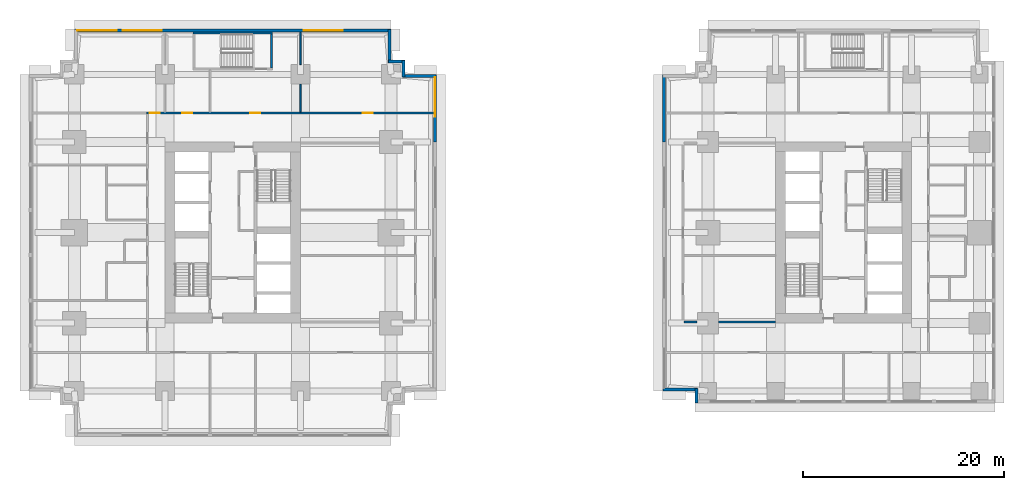
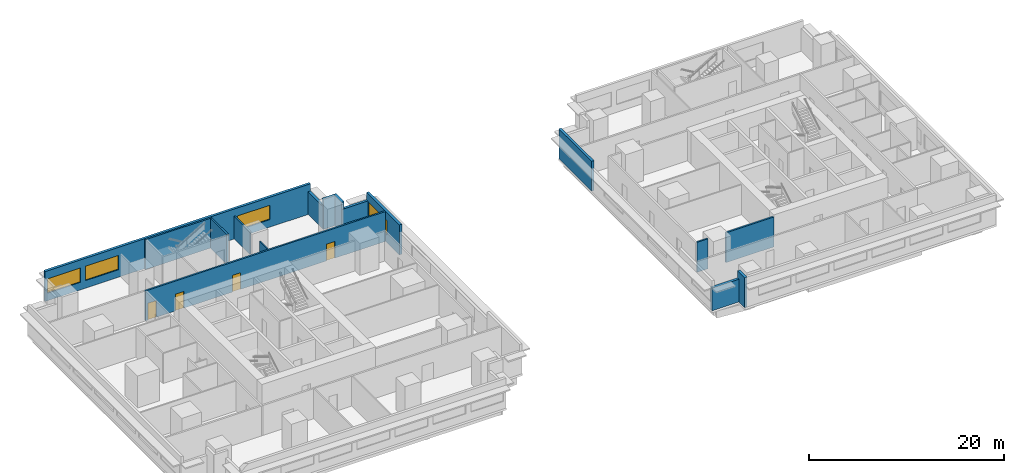
# One storey, part 5 of 11: 16 walls, 4 doors, 4 windows, 8 openings.
"""IFC4 building model written with IfcOpenShell, lengths in metres."""

from ifc_helpers import new_model, si_unit, direction, frame, frame_2d, origin, place, context, subcontext, project, spatial, rectangle, extrude, material, layer, layer_set, type_object, element, fill, save


model = new_model("IFC4")

# Units and contexts
model_context = context("Model", 3, precision=1e-05, world=origin(), true_north=direction((0.0, 1.0)))
body_context = subcontext(model_context, "Body", "Model", "MODEL_VIEW")
ifc_project = project(units=[si_unit("LENGTHUNIT", "METRE"), si_unit("AREAUNIT", "SQUARE_METRE"), si_unit("VOLUMEUNIT", "CUBIC_METRE"), si_unit("PLANEANGLEUNIT", "RADIAN"), si_unit("MASSUNIT", "GRAM", prefix="KILO")], contexts=[model_context])

# Site, building, storey
site_placement = place(None, origin())
site = spatial("IfcSite", under=ifc_project, at=site_placement, CompositionType="ELEMENT")
building_placement = place(site_placement, origin())
building = spatial("IfcBuilding", under=site, at=building_placement, Name="Namib Vertical Campus", CompositionType="ELEMENT")
storey_placement = place(building_placement, frame((0.0, 0.0, 101.0)))
storey = spatial("IfcBuildingStorey", under=building, at=storey_placement, Name="L23", CompositionType="ELEMENT", Elevation=101.0)

# Wall, openings, doors
ifc_material_1 = material(Name="Concrete masonry", Category="masonry")
ifc_layer_1 = layer(ifc_material_1, 0.199951171875)
ifc_layer_set_1 = layer_set([ifc_layer_1], Name="Corridor wall 200")
wall_type_1 = type_object("IfcWallType", Name="Corridor wall 200", PredefinedType="SOLIDWALL", material=ifc_layer_set_1)
wall_1_placement = place(storey_placement, frame((40.199951171875, 32.14990234375, 0.0), z_axis=(0.0, 0.0, 1.0), x_axis=(-1.0, 0.0, 0.0)))
wall_1 = element("IfcWall", 1, at=wall_1_placement, inside=storey, type_object=wall_type_1, Name="Corridor wall A L23 CN", PredefinedType="SOLIDWALL", context=body_context, shape_type="SweptSolid", body=[
    extrude(rectangle(XDim=28.5, YDim=0.199951171875, at=frame_2d((14.25, 0.0))), origin(), (0.0, 0.0, 1.0), 3.75),
])
opening_1_placement = place(wall_1_placement, frame((27.199951171875, 0.0, 0.0)))
opening_1 = element("IfcOpeningElement", 2, at=opening_1_placement, cuts=wall_1, Name="Opening CD1", PredefinedType="OPENING", context=body_context, shape_type="SweptSolid", body=[
    extrude(rectangle(XDim=1.0, YDim=2.10009765625, at=frame_2d((0.5, 1.050048828125))), frame((0.0, 0.10986328125, 0.0), z_axis=(0.0, -1.0, 0.0), x_axis=(1.0, 0.0, 0.0)), (0.0, 0.0, 1.0), 0.219970703125),
])
opening_2_placement = place(wall_1_placement, frame((23.949951171875, 0.0, 0.0)))
opening_2 = element("IfcOpeningElement", 3, at=opening_2_placement, cuts=wall_1, Name="Opening CD1", PredefinedType="OPENING", context=body_context, shape_type="SweptSolid", body=[
    extrude(rectangle(XDim=1.0, YDim=2.10009765625, at=frame_2d((0.5, 1.050048828125))), frame((0.0, 0.10986328125, 0.0), z_axis=(0.0, -1.0, 0.0), x_axis=(1.0, 0.0, 0.0)), (0.0, 0.0, 1.0), 0.219970703125),
])
opening_3_placement = place(wall_1_placement, frame((17.199951171875, 0.0, 0.0)))
opening_3 = element("IfcOpeningElement", 4, at=opening_3_placement, cuts=wall_1, Name="Opening CD1", PredefinedType="OPENING", context=body_context, shape_type="SweptSolid", body=[
    extrude(rectangle(XDim=1.0, YDim=2.10009765625, at=frame_2d((0.5, 1.050048828125))), frame((0.0, 0.10986328125, 0.0), z_axis=(0.0, -1.0, 0.0), x_axis=(1.0, 0.0, 0.0)), (0.0, 0.0, 1.0), 0.219970703125),
])
opening_4_placement = place(wall_1_placement, frame((6.0, 0.0, 0.0)))
opening_4 = element("IfcOpeningElement", 5, at=opening_4_placement, cuts=wall_1, Name="Opening CD1", PredefinedType="OPENING", context=body_context, shape_type="SweptSolid", body=[
    extrude(rectangle(XDim=1.0, YDim=2.10009765625, at=frame_2d((0.5, 1.050048828125))), frame((0.0, 0.10986328125, 0.0), z_axis=(0.0, -1.0, 0.0), x_axis=(1.0, 0.0, 0.0)), (0.0, 0.0, 1.0), 0.219970703125),
])
ifc_material_2 = material(Name="Timber fire door leaf", Category="wood")
door_type = type_object("IfcDoorType", Name="Corridor door 1000x2100 20 min", OperationType="SINGLE_SWING_LEFT", PredefinedType="DOOR", material=ifc_material_2)
door_1_placement = place(opening_1_placement, frame((1.0, 0.0, 0.0), z_axis=(0.0, 0.0, 1.0), x_axis=(-1.0, 0.0, 0.0)))
door_1 = element("IfcDoor", 6, at=door_1_placement, inside=storey, type_object=door_type, Name="Door CD1 A23-07", OperationType="SINGLE_SWING_RIGHT", OverallHeight=2.10009765625, OverallWidth=1.0, PredefinedType="DOOR", context=body_context, shape_type="SweptSolid", body=[
    extrude(rectangle(XDim=1.0, YDim=2.10009765625, at=frame_2d((0.5, 1.050048828125))), frame((0.0, 0.02490234375, 0.0), z_axis=(0.0, -1.0, 0.0), x_axis=(1.0, 0.0, 0.0)), (0.0, 0.0, 1.0), 0.050048828125),
])
fill(opening_1, door_1)
door_2_placement = place(opening_2_placement, frame((1.0, 0.0, 0.0), z_axis=(0.0, 0.0, 1.0), x_axis=(-1.0, 0.0, 0.0)))
door_2 = element("IfcDoor", 7, at=door_2_placement, inside=storey, type_object=door_type, Name="Door CD1 A23-08", OperationType="SINGLE_SWING_RIGHT", OverallHeight=2.10009765625, OverallWidth=1.0, PredefinedType="DOOR", context=body_context, shape_type="SweptSolid", body=[
    extrude(rectangle(XDim=1.0, YDim=2.10009765625, at=frame_2d((0.5, 1.050048828125))), frame((0.0, 0.02490234375, 0.0), z_axis=(0.0, -1.0, 0.0), x_axis=(1.0, 0.0, 0.0)), (0.0, 0.0, 1.0), 0.050048828125),
])
fill(opening_2, door_2)
door_3_placement = place(opening_3_placement, frame((1.0, 0.0, 0.0), z_axis=(0.0, 0.0, 1.0), x_axis=(-1.0, 0.0, 0.0)))
door_3 = element("IfcDoor", 8, at=door_3_placement, inside=storey, type_object=door_type, Name="Door CD1 A23-09", OperationType="SINGLE_SWING_RIGHT", OverallHeight=2.10009765625, OverallWidth=1.0, PredefinedType="DOOR", context=body_context, shape_type="SweptSolid", body=[
    extrude(rectangle(XDim=1.0, YDim=2.10009765625, at=frame_2d((0.5, 1.050048828125))), frame((0.0, 0.02490234375, 0.0), z_axis=(0.0, -1.0, 0.0), x_axis=(1.0, 0.0, 0.0)), (0.0, 0.0, 1.0), 0.050048828125),
])
fill(opening_3, door_3)
door_4_placement = place(opening_4_placement, frame((1.0, 0.0, 0.0), z_axis=(0.0, 0.0, 1.0), x_axis=(-1.0, 0.0, 0.0)))
door_4 = element("IfcDoor", 9, at=door_4_placement, inside=storey, type_object=door_type, Name="Door CD1 A23-10", OperationType="SINGLE_SWING_LEFT", OverallHeight=2.10009765625, OverallWidth=1.0, PredefinedType="DOOR", context=body_context, shape_type="SweptSolid", body=[
    extrude(rectangle(XDim=1.0, YDim=2.10009765625, at=frame_2d((0.5, 1.050048828125))), frame((0.0, 0.02490234375, 0.0), z_axis=(0.0, -1.0, 0.0), x_axis=(1.0, 0.0, 0.0)), (0.0, 0.0, 1.0), 0.050048828125),
])
fill(opening_4, door_4)

# Walls
wall_2_placement = place(storey_placement, frame((65.14990234375, 11.35009765625, 0.0), z_axis=(0.0, 0.0, 1.0), x_axis=(1.0, 0.0, 0.0)))
element("IfcWall", 10, at=wall_2_placement, inside=storey, type_object=wall_type_1, Name="Corridor wall B L23 GS", PredefinedType="SOLIDWALL", context=body_context, shape_type="SweptSolid", body=[
    extrude(rectangle(XDim=1.280029296875, YDim=0.199951171875, at=frame_2d((0.64013671875, 0.0))), origin(), (0.0, 0.0, 1.0), 3.75),
])
wall_3_placement = place(storey_placement, frame((68.570068359375, 11.35009765625, 0.0), z_axis=(0.0, 0.0, 1.0), x_axis=(1.0, 0.0, 0.0)))
element("IfcWall", 11, at=wall_3_placement, inside=storey, type_object=wall_type_1, Name="Corridor wall B L23 GS", PredefinedType="SOLIDWALL", context=body_context, shape_type="SweptSolid", body=[
    extrude(rectangle(XDim=5.679931640625, YDim=0.199951171875, at=frame_2d((2.83984375, 0.0))), origin(), (0.0, 0.0, 1.0), 3.75),
])
ifc_material_3 = material(Name="Concrete C40/50", Category="concrete")
ifc_layer_2 = layer(ifc_material_3, 0.300048828125)
ifc_layer_set_2 = layer_set([ifc_layer_2], Name="Concrete C40/50")
wall_type_2 = type_object("IfcWallType", Name="External wall 300 board-marked concrete", PredefinedType="STANDARD", material=ifc_layer_set_2)
wall_4_placement = place(storey_placement, frame((40.47998046875, 35.85009765625, 0.0), z_axis=(0.0, 0.0, 1.0), x_axis=(-1.0, 0.0, 0.0)))
element("IfcWall", 12, at=wall_4_placement, inside=storey, type_object=wall_type_2, Name="External wall L23 F07", PredefinedType="STANDARD", context=body_context, shape_type="SweptSolid", body=[
    extrude(rectangle(XDim=3.35986328125, YDim=0.300048828125, at=frame_2d((1.679931640625, 0.0))), origin(), (0.0, 0.0, 1.0), 2.85009765625),
])
for number, where, z_axis, x_axis, name in (
    (13, (37.25, 35.719970703125, 0.0), (0.0, 0.0, 1.0), (0.0, 1.0, 0.0), "External wall L23 F08"),
    (14, (37.3798828125, 37.25, 0.0), (0.0, 0.0, 1.0), (-1.0, 0.0, 0.0), "External wall L23 F09"),
):
    element("IfcWall", number, at=place(storey_placement, frame(where, z_axis=z_axis, x_axis=x_axis)), inside=storey, type_object=wall_type_2, Name=name, PredefinedType="STANDARD", context=body_context, shape_type="SweptSolid", body=[
        extrude(rectangle(XDim=1.659912109375, YDim=0.300048828125, at=frame_2d((0.830078125, 0.0))), origin(), (0.0, 0.0, 1.0), 3.75),
    ])
wall_5_placement = place(storey_placement, frame((35.85009765625, 37.1201171875, 0.0), z_axis=(0.0, 0.0, 1.0), x_axis=(0.0, 1.0, 0.0)))
element("IfcWall", 15, at=wall_5_placement, inside=storey, type_object=wall_type_2, Name="External wall L23 F10", PredefinedType="STANDARD", context=body_context, shape_type="SweptSolid", body=[
    extrude(rectangle(XDim=3.35986328125, YDim=0.300048828125, at=frame_2d((1.679931640625, 0.0))), origin(), (0.0, 0.0, 1.0), 2.85009765625),
])

# Wall, openings, windows
wall_6_placement = place(storey_placement, frame((35.97998046875, 40.35009765625, 0.0), z_axis=(0.0, 0.0, 1.0), x_axis=(-1.0, 0.0, 0.0)))
wall_6 = element("IfcWall", 16, at=wall_6_placement, inside=storey, type_object=wall_type_2, Name="External wall L23 F11", PredefinedType="STANDARD", context=body_context, shape_type="SweptSolid", body=[
    extrude(rectangle(XDim=31.4599609375, YDim=0.300048828125, at=frame_2d((15.72998046875, 0.0))), origin(), (0.0, 0.0, 1.0), 3.75),
])
opening_5_placement = place(wall_6_placement, frame((27.280029296875, 0.0, 0.949951171875)))
opening_5 = element("IfcOpeningElement", 17, at=opening_5_placement, cuts=wall_6, Name="Opening W3", PredefinedType="OPENING", context=body_context, shape_type="SweptSolid", body=[
    extrude(rectangle(XDim=3.89990234375, YDim=1.800048828125, at=frame_2d((1.949951171875, 0.89990234375))), frame((0.0, 0.159912109375, 0.0), z_axis=(0.0, -1.0, 0.0), x_axis=(1.0, 0.0, 0.0)), (0.0, 0.0, 1.0), 0.320068359375),
])
opening_6_placement = place(wall_6_placement, frame((22.780029296875, 0.0, 0.949951171875)))
opening_6 = element("IfcOpeningElement", 18, at=opening_6_placement, cuts=wall_6, Name="Opening W3", PredefinedType="OPENING", context=body_context, shape_type="SweptSolid", body=[
    extrude(rectangle(XDim=3.89990234375, YDim=1.800048828125, at=frame_2d((1.949951171875, 0.89990234375))), frame((0.0, 0.159912109375, 0.0), z_axis=(0.0, -1.0, 0.0), x_axis=(1.0, 0.0, 0.0)), (0.0, 0.0, 1.0), 0.320068359375),
])
opening_7_placement = place(wall_6_placement, frame((4.780029296875, 0.0, 0.949951171875)))
opening_7 = element("IfcOpeningElement", 19, at=opening_7_placement, cuts=wall_6, Name="Opening W3", PredefinedType="OPENING", context=body_context, shape_type="SweptSolid", body=[
    extrude(rectangle(XDim=3.89990234375, YDim=1.800048828125, at=frame_2d((1.949951171875, 0.89990234375))), frame((0.0, 0.159912109375, 0.0), z_axis=(0.0, -1.0, 0.0), x_axis=(1.0, 0.0, 0.0)), (0.0, 0.0, 1.0), 0.320068359375),
])
ifc_material_4 = material(Name="Dark tinted glass in black aluminium frame", Category="aluminium")
window_type = type_object("IfcWindowType", Name="Ribbon window 3900x1800", PartitioningType="SINGLE_PANEL", PredefinedType="WINDOW", material=ifc_material_4)
window_1_placement = place(opening_5_placement, origin())
window_1 = element("IfcWindow", 20, at=window_1_placement, inside=storey, type_object=window_type, Name="Window W3 L23 F11-1", OverallHeight=1.800048828125, OverallWidth=3.89990234375, PartitioningType="SINGLE_PANEL", PredefinedType="WINDOW", context=body_context, shape_type="SweptSolid", body=[
    extrude(rectangle(XDim=3.89990234375, YDim=1.800048828125, at=frame_2d((1.949951171875, 0.89990234375))), frame((0.0, 0.030029296875, 0.0), z_axis=(0.0, -1.0, 0.0), x_axis=(1.0, 0.0, 0.0)), (0.0, 0.0, 1.0), 0.06005859375),
])
fill(opening_5, window_1)
window_2_placement = place(opening_6_placement, origin())
window_2 = element("IfcWindow", 21, at=window_2_placement, inside=storey, type_object=window_type, Name="Window W3 L23 F11-2", OverallHeight=1.800048828125, OverallWidth=3.89990234375, PartitioningType="SINGLE_PANEL", PredefinedType="WINDOW", context=body_context, shape_type="SweptSolid", body=[
    extrude(rectangle(XDim=3.89990234375, YDim=1.800048828125, at=frame_2d((1.949951171875, 0.89990234375))), frame((0.0, 0.030029296875, 0.0), z_axis=(0.0, -1.0, 0.0), x_axis=(1.0, 0.0, 0.0)), (0.0, 0.0, 1.0), 0.06005859375),
])
fill(opening_6, window_2)
window_3_placement = place(opening_7_placement, origin())
window_3 = element("IfcWindow", 22, at=window_3_placement, inside=storey, type_object=window_type, Name="Window W3 L23 F11-6", OverallHeight=1.800048828125, OverallWidth=3.89990234375, PartitioningType="SINGLE_PANEL", PredefinedType="WINDOW", context=body_context, shape_type="SweptSolid", body=[
    extrude(rectangle(XDim=3.89990234375, YDim=1.800048828125, at=frame_2d((1.949951171875, 0.89990234375))), frame((0.0, 0.030029296875, 0.0), z_axis=(0.0, -1.0, 0.0), x_axis=(1.0, 0.0, 0.0)), (0.0, 0.0, 1.0), 0.06005859375),
])
fill(opening_7, window_3)

# Walls
wall_7_placement = place(storey_placement, frame((63.02001953125, 4.64990234375, 0.0), z_axis=(0.0, 0.0, 1.0), x_axis=(1.0, 0.0, 0.0)))
element("IfcWall", 23, at=wall_7_placement, inside=storey, type_object=wall_type_2, Name="External wall L23 F01", PredefinedType="STANDARD", context=body_context, shape_type="SweptSolid", body=[
    extrude(rectangle(XDim=3.4599609375, YDim=0.300048828125, at=frame_2d((1.72998046875, 0.0))), origin(), (0.0, 0.0, 1.0), 2.85009765625),
])
wall_8_placement = place(storey_placement, frame((66.35009765625, 4.780029296875, 0.0), z_axis=(0.0, 0.0, 1.0), x_axis=(0.0, -1.0, 0.0)))
element("IfcWall", 24, at=wall_8_placement, inside=storey, type_object=wall_type_2, Name="External wall L23 F02", PredefinedType="STANDARD", context=body_context, shape_type="SweptSolid", body=[
    extrude(rectangle(XDim=1.4599609375, YDim=0.300048828125, at=frame_2d((0.72998046875, 0.0))), origin(), (0.0, 0.0, 1.0), 3.75),
])
wall_9_placement = place(storey_placement, frame((63.14990234375, 35.97998046875, 0.0), z_axis=(0.0, 0.0, 1.0), x_axis=(0.0, -1.0, 0.0)))
element("IfcWall", 25, at=wall_9_placement, inside=storey, type_object=wall_type_2, Name="External wall L23 F12", PredefinedType="STANDARD", context=body_context, shape_type="SweptSolid", body=[
    extrude(rectangle(XDim=6.72998046875, YDim=0.300048828125, at=frame_2d((3.364990234375, 0.0))), origin(), (0.0, 0.0, 1.0), 3.75),
])

# Wall, opening, window
wall_10_placement = place(storey_placement, frame((40.35009765625, 29.25, 0.0), z_axis=(0.0, 0.0, 1.0), x_axis=(0.0, 1.0, 0.0)))
wall_10 = element("IfcWall", 26, at=wall_10_placement, inside=storey, type_object=wall_type_2, Name="External wall L23 F06", PredefinedType="STANDARD", context=body_context, shape_type="SweptSolid", body=[
    extrude(rectangle(XDim=6.72998046875, YDim=0.300048828125, at=frame_2d((3.364990234375, 0.0))), origin(), (0.0, 0.0, 1.0), 3.75),
])
opening_8_placement = place(wall_10_placement, frame((2.550048828125, 0.0, 0.949951171875)))
opening_8 = element("IfcOpeningElement", 27, at=opening_8_placement, cuts=wall_10, Name="Opening W3", PredefinedType="OPENING", context=body_context, shape_type="SweptSolid", body=[
    extrude(rectangle(XDim=3.89990234375, YDim=1.800048828125, at=frame_2d((1.949951171875, 0.89990234375))), frame((0.0, 0.159912109375, 0.0), z_axis=(0.0, -1.0, 0.0), x_axis=(1.0, 0.0, 0.0)), (0.0, 0.0, 1.0), 0.320068359375),
])
window_4_placement = place(opening_8_placement, origin())
window_4 = element("IfcWindow", 28, at=window_4_placement, inside=storey, type_object=window_type, Name="Window W3 L23 F06-7", OverallHeight=1.800048828125, OverallWidth=3.89990234375, PartitioningType="SINGLE_PANEL", PredefinedType="WINDOW", context=body_context, shape_type="SweptSolid", body=[
    extrude(rectangle(XDim=3.89990234375, YDim=1.800048828125, at=frame_2d((1.949951171875, 0.89990234375))), frame((0.0, 0.030029296875, 0.0), z_axis=(0.0, -1.0, 0.0), x_axis=(1.0, 0.0, 0.0)), (0.0, 0.0, 1.0), 0.06005859375),
])
fill(opening_8, window_4)

# Walls
ifc_material_5 = material(Name="Gypsum board on steel studs", Category="steel")
ifc_layer_3 = layer(ifc_material_5, 0.14990234375)
ifc_layer_set_3 = layer_set([ifc_layer_3], Name="Gypsum board on steel studs")
wall_type_3 = type_object("IfcWallType", Name="Partition 150", PredefinedType="PARTITIONING", material=ifc_layer_set_3)
wall_11_placement = place(storey_placement, frame((27.0, 32.25, 0.0), z_axis=(0.0, 0.0, 1.0), x_axis=(0.0, 1.0, 0.0)))
element("IfcWall", 29, at=wall_11_placement, inside=storey, type_object=wall_type_3, Name="Partition A L23 PN3", PredefinedType="PARTITIONING", context=body_context, shape_type="SweptSolid", body=[
    extrude(rectangle(XDim=2.780029296875, YDim=0.14990234375, at=frame_2d((1.39013671875, 0.0))), origin(), (0.0, 0.0, 1.0), 2.85009765625),
])
wall_12_placement = place(storey_placement, frame((27.0, 36.969970703125, 0.0), z_axis=(0.0, 0.0, 1.0), x_axis=(0.0, 1.0, 0.0)))
element("IfcWall", 30, at=wall_12_placement, inside=storey, type_object=wall_type_3, Name="Partition A L23 PN3", PredefinedType="PARTITIONING", context=body_context, shape_type="SweptSolid", body=[
    extrude(rectangle(XDim=3.22998046875, YDim=0.14990234375, at=frame_2d((1.614990234375, 0.0))), origin(), (0.0, 0.0, 1.0), 2.85009765625),
])
ifc_material_6 = material(Name="Concrete C40/50", Category="concrete")
ifc_layer_4 = layer(ifc_material_6, 0.199951171875)
ifc_layer_set_4 = layer_set([ifc_layer_4], Name="Concrete C40/50")
wall_type_4 = type_object("IfcWallType", Name="Stair enclosure wall RC 200", PredefinedType="SOLIDWALL", material=ifc_layer_set_4)
wall_13_placement = place(storey_placement, frame((16.300048828125, 40.10009765625, 0.0), z_axis=(0.0, 0.0, 1.0), x_axis=(1.0, 0.0, 0.0)))
element("IfcWall", 31, at=wall_13_placement, inside=storey, type_object=wall_type_4, Name="Stair enclosure wall A-S3 L23 N", PredefinedType="SOLIDWALL", context=body_context, shape_type="SweptSolid", body=[
    extrude(rectangle(XDim=7.89990234375, YDim=0.199951171875, at=frame_2d((3.949951171875, 0.0))), origin(), (0.0, 0.0, 1.0), 3.75),
])
wall_14_placement = place(storey_placement, frame((24.10009765625, 36.64990234375, 0.0), z_axis=(0.0, 0.0, 1.0), x_axis=(0.0, 1.0, 0.0)))
element("IfcWall", 32, at=wall_14_placement, inside=storey, type_object=wall_type_4, Name="Stair enclosure wall A-S3 L23 E", PredefinedType="SOLIDWALL", context=body_context, shape_type="SweptSolid", body=[
    extrude(rectangle(XDim=3.35009765625, YDim=0.199951171875, at=frame_2d((1.675048828125, 0.0))), origin(), (0.0, 0.0, 1.0), 3.75),
])

save(model, "model.ifc")
